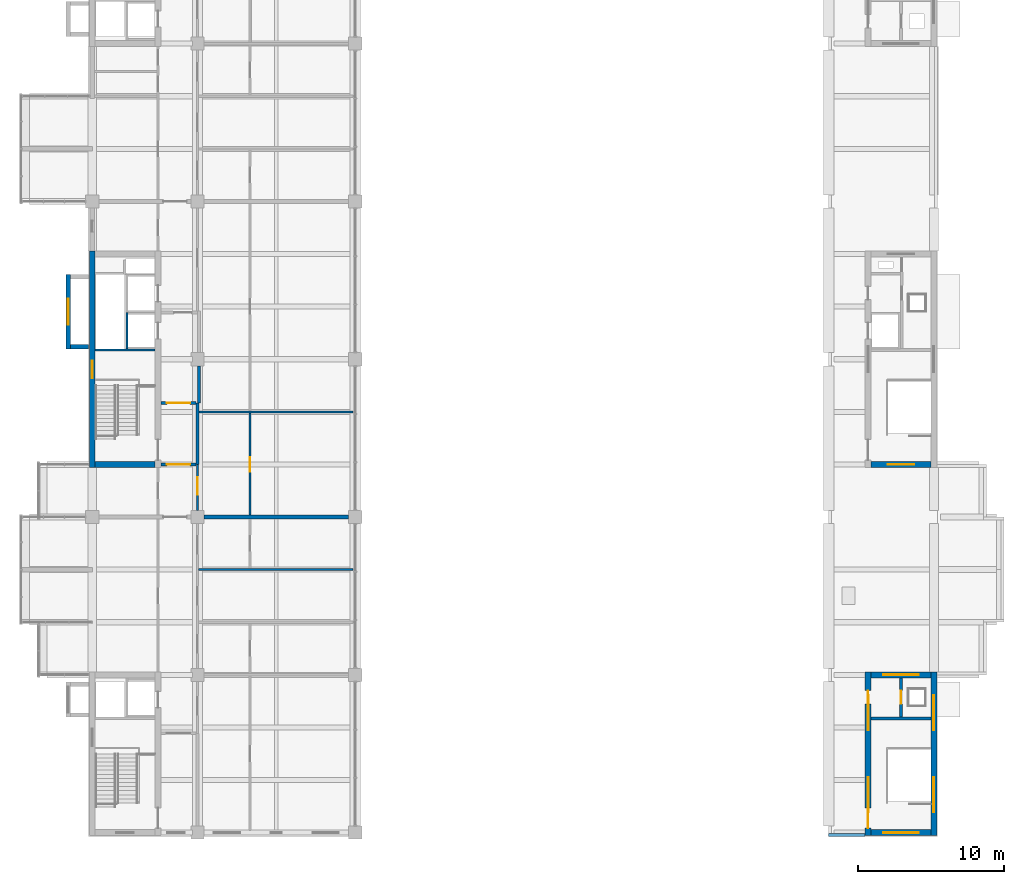
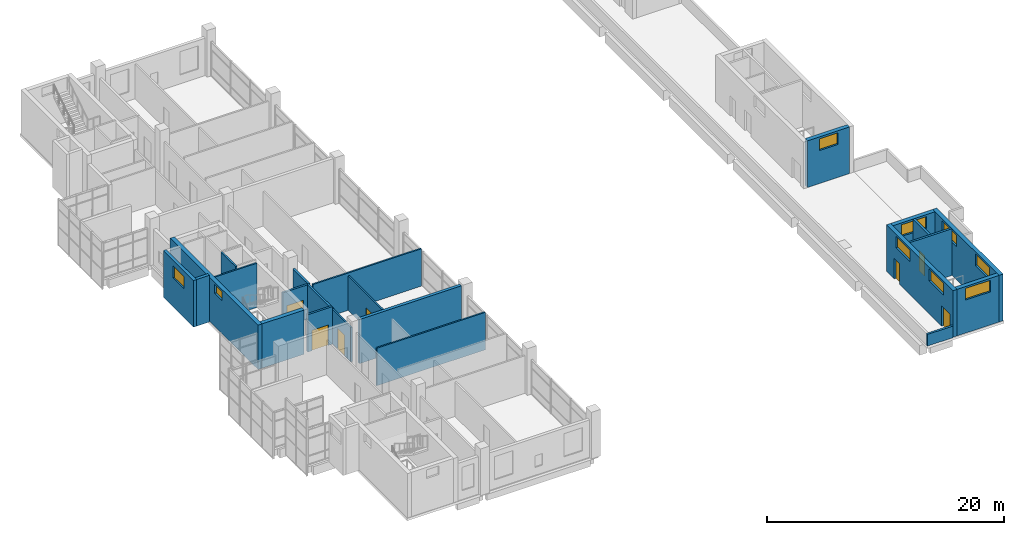
# One storey, part 16 of 23: 23 walls, 9 windows, 7 doors, 16 openings.
"""IFC4 building model written with IfcOpenShell, lengths in metres."""

from ifc_helpers import new_model, si_unit, direction, frame, frame_2d, origin, place, context, subcontext, project, spatial, rectangle, extrude, material, layer, layer_set, type_object, element, fill, save


model = new_model("IFC4")

# Units and contexts
model_context = context("Model", 3, precision=1e-05, world=origin(), true_north=direction((0.0, 1.0)))
body_context = subcontext(model_context, "Body", "Model", "MODEL_VIEW")
ifc_project = project(units=[si_unit("LENGTHUNIT", "METRE"), si_unit("AREAUNIT", "SQUARE_METRE"), si_unit("VOLUMEUNIT", "CUBIC_METRE"), si_unit("PLANEANGLEUNIT", "RADIAN"), si_unit("MASSUNIT", "GRAM", prefix="KILO")], contexts=[model_context])

# Site, building, storey
site_placement = place(None, origin())
site = spatial("IfcSite", under=ifc_project, at=site_placement, CompositionType="ELEMENT")
building_placement = place(site_placement, origin())
building = spatial("IfcBuilding", under=site, at=building_placement, Name="Basin Gate Institute", CompositionType="ELEMENT")
storey_placement = place(building_placement, frame((0.0, 0.0, 46.199951171875)))
storey = spatial("IfcBuildingStorey", under=building, at=storey_placement, Name="L09", CompositionType="ELEMENT", Elevation=46.199951171875)

# Wall, opening, door
ifc_material_1 = material(Name="Fire-rated masonry", Category="masonry")
ifc_layer_1 = layer(ifc_material_1, 0.199951171875)
ifc_layer_set_1 = layer_set([ifc_layer_1], Name="Enclosure wall PW2 200 EI 60")
wall_type_1 = type_object("IfcWallType", Name="Enclosure wall PW2 200 EI 60", PredefinedType="PARTITIONING", material=ifc_layer_set_1)
wall_1_placement = place(storey_placement, frame((65.89990234375, 60.300048828125, 0.0), z_axis=(0.0, 0.0, 1.0), x_axis=(1.0, 0.0, 0.0)))
wall_1 = element("IfcWall", 1, at=wall_1_placement, inside=storey, type_object=wall_type_1, material=ifc_layer_set_1, Name="Smoke lobby enclosure wall PW2 L09", PredefinedType="PARTITIONING", context=body_context, shape_type="SweptSolid", body=[
    extrude(rectangle(XDim=2.400146484375, YDim=0.199951171875, at=frame_2d((1.2001953125, 0.0))), origin(), (0.0, 0.0, 1.0), 3.85009765625),
])
opening_1_placement = place(wall_1_placement, frame((0.39990234375, 0.0, 0.0)))
opening_1 = element("IfcOpeningElement", 2, at=opening_1_placement, cuts=wall_1, Name="Opening DR435", PredefinedType="OPENING", context=body_context, shape_type="SweptSolid", body=[
    extrude(rectangle(XDim=1.60009765625, YDim=2.10009765625, at=frame_2d((0.800048828125, 1.050048828125))), frame((0.0, 0.10986328125, 0.0), z_axis=(0.0, -1.0, 0.0), x_axis=(1.0, 0.0, 0.0)), (0.0, 0.0, 1.0), 0.219970703125),
])
ifc_material_2 = material(Name="Steel fire door", Category="steel")
door_type_1 = type_object("IfcDoorType", Name="FD60 Smoke lobby door pair D8", OperationType="DOUBLE_DOOR_SINGLE_SWING", PredefinedType="DOOR", material=ifc_material_2)
door_1_placement = place(opening_1_placement, origin())
door_1 = element("IfcDoor", 3, at=door_1_placement, inside=storey, type_object=door_type_1, material=ifc_material_2, Name="Smoke lobby door SS2 L09", OperationType="DOUBLE_DOOR_SINGLE_SWING", OverallHeight=2.10009765625, OverallWidth=1.60009765625, PredefinedType="DOOR", context=body_context, shape_type="SweptSolid", body=[
    extrude(rectangle(XDim=1.60009765625, YDim=2.10009765625, at=frame_2d((0.800048828125, 1.050048828125))), frame((0.0, 0.02490234375, 0.0), z_axis=(0.0, -1.0, 0.0), x_axis=(1.0, 0.0, 0.0)), (0.0, 0.0, 1.0), 0.050048828125),
])
fill(opening_1, door_1)

wall_2_placement = place(storey_placement, frame((65.89990234375, 64.5, 0.0), z_axis=(0.0, 0.0, 1.0), x_axis=(1.0, 0.0, 0.0)))
wall_2 = element("IfcWall", 4, at=wall_2_placement, inside=storey, type_object=wall_type_1, material=ifc_layer_set_1, Name="Smoke lobby enclosure wall PW2 L09", PredefinedType="PARTITIONING", context=body_context, shape_type="SweptSolid", body=[
    extrude(rectangle(XDim=2.400146484375, YDim=0.199951171875, at=frame_2d((1.2001953125, 0.0))), origin(), (0.0, 0.0, 1.0), 3.550048828125),
])
opening_2_placement = place(wall_2_placement, frame((0.39990234375, 0.0, 0.0)))
opening_2 = element("IfcOpeningElement", 5, at=opening_2_placement, cuts=wall_2, Name="Opening DR436", PredefinedType="OPENING", context=body_context, shape_type="SweptSolid", body=[
    extrude(rectangle(XDim=1.60009765625, YDim=2.10009765625, at=frame_2d((0.800048828125, 1.050048828125))), frame((0.0, 0.10986328125, 0.0), z_axis=(0.0, -1.0, 0.0), x_axis=(1.0, 0.0, 0.0)), (0.0, 0.0, 1.0), 0.219970703125),
])
door_2_placement = place(opening_2_placement, frame((1.60009765625, 0.0, 0.0), z_axis=(0.0, 0.0, 1.0), x_axis=(-1.0, 0.0, 0.0)))
door_2 = element("IfcDoor", 6, at=door_2_placement, inside=storey, type_object=door_type_1, material=ifc_material_2, Name="Smoke lobby door SS2 L09", OperationType="DOUBLE_DOOR_SINGLE_SWING", OverallHeight=2.10009765625, OverallWidth=1.60009765625, PredefinedType="DOOR", context=body_context, shape_type="SweptSolid", body=[
    extrude(rectangle(XDim=1.60009765625, YDim=2.10009765625, at=frame_2d((0.800048828125, 1.050048828125))), frame((0.0, 0.02490234375, 0.0), z_axis=(0.0, -1.0, 0.0), x_axis=(1.0, 0.0, 0.0)), (0.0, 0.0, 1.0), 0.050048828125),
])
fill(opening_2, door_2)

# Walls
wall_3_placement = place(storey_placement, frame((68.39990234375, 60.300048828125, 0.0), z_axis=(0.0, 0.0, 1.0), x_axis=(0.0, 1.0, 0.0)))
element("IfcWall", 7, at=wall_3_placement, inside=storey, type_object=wall_type_1, material=ifc_layer_set_1, Name="Smoke lobby enclosure wall PW2 L09", PredefinedType="PARTITIONING", context=body_context, shape_type="SweptSolid", body=[
    extrude(rectangle(XDim=4.199951171875, YDim=0.199951171875, at=frame_2d((2.10009765625, 0.0))), origin(), (0.0, 0.0, 1.0), 3.550048828125),
])
wall_4_placement = place(storey_placement, frame((68.5, 64.5, 0.0), z_axis=(0.0, 0.0, 1.0), x_axis=(0.0, 1.0, 0.0)))
element("IfcWall", 8, at=wall_4_placement, inside=storey, type_object=wall_type_1, material=ifc_layer_set_1, Name="Emergency lift lobby wall PW2 L09", PredefinedType="PARTITIONING", context=body_context, shape_type="SweptSolid", body=[
    extrude(rectangle(XDim=2.550048828125, YDim=0.199951171875, at=frame_2d((1.27490234375, 0.0))), origin(), (0.0, 0.0, 1.0), 3.550048828125),
])
ifc_material_3 = material(Name="Concrete 40 MPa", Category="concrete")
ifc_layer_2 = layer(ifc_material_3, 0.199951171875)
ifc_layer_set_2 = layer_set([ifc_layer_2], Name="Concrete 40 MPa")
wall_type_2 = type_object("IfcWallType", Name="Parapet wall PA1", PredefinedType="PARAPET", material=ifc_layer_set_2)
wall_5_placement = place(storey_placement, frame((114.10009765625, 34.949951171875, 0.0), z_axis=(0.0, 0.0, 1.0), x_axis=(-1.0, 0.0, 0.0)))
element("IfcWall", 9, at=wall_5_placement, inside=storey, type_object=wall_type_2, material=ifc_layer_set_2, Name="Parapet wall PA1 L09 E1", PredefinedType="PARAPET", context=body_context, shape_type="SweptSolid", body=[
    extrude(rectangle(XDim=2.5, YDim=0.199951171875, at=frame_2d((1.25, 0.0))), origin(), (0.0, 0.0, 1.0), 1.199951171875),
])

# Wall, opening, door
ifc_material_4 = material(Name="Gypsum board on steel stud", Category="steel")
ifc_layer_3 = layer(ifc_material_4, 0.14990234375)
ifc_layer_set_3 = layer_set([ifc_layer_3], Name="Gypsum board on steel stud")
wall_type_3 = type_object("IfcWallType", Name="Partition PW1 150 EI 60", PredefinedType="PARTITIONING", material=ifc_layer_set_3)
wall_6_placement = place(storey_placement, frame((68.39990234375, 57.14990234375, 0.0), z_axis=(0.0, 0.0, 1.0), x_axis=(0.0, 1.0, 0.0)))
wall_6 = element("IfcWall", 10, at=wall_6_placement, inside=storey, type_object=wall_type_3, material=ifc_layer_set_3, Name="Laboratory corridor wall PW1 L09", PredefinedType="PARTITIONING", context=body_context, shape_type="SweptSolid", body=[
    extrude(rectangle(XDim=3.150146484375, YDim=0.14990234375, at=frame_2d((1.5751953125, 0.0))), origin(), (0.0, 0.0, 1.0), 3.550048828125),
])
opening_3_placement = place(wall_6_placement, frame((1.074951171875, 0.0, 0.0)))
opening_3 = element("IfcOpeningElement", 11, at=opening_3_placement, cuts=wall_6, Name="Opening DR422", PredefinedType="OPENING", context=body_context, shape_type="SweptSolid", body=[
    extrude(rectangle(XDim=1.199951171875, YDim=2.10009765625, at=frame_2d((0.60009765625, 1.050048828125))), frame((0.0, 0.0849609375, 0.0), z_axis=(0.0, -1.0, 0.0), x_axis=(1.0, 0.0, 0.0)), (0.0, 0.0, 1.0), 0.169921875),
])
ifc_material_5 = material(Name="Timber fire door", Category="wood")
door_type_2 = type_object("IfcDoorType", Name="FD30 Laboratory door D2", OperationType="DOUBLE_DOOR_SINGLE_SWING", PredefinedType="DOOR", material=ifc_material_5)
door_3_placement = place(opening_3_placement, frame((1.199951171875, 0.0, 0.0), z_axis=(0.0, 0.0, 1.0), x_axis=(-1.0, 0.0, 0.0)))
door_3 = element("IfcDoor", 12, at=door_3_placement, inside=storey, type_object=door_type_2, material=ifc_material_5, Name="Door to Gowning Airlock 0922 L09", OperationType="DOUBLE_DOOR_SINGLE_SWING", OverallHeight=2.10009765625, OverallWidth=1.199951171875, PredefinedType="DOOR", context=body_context, shape_type="SweptSolid", body=[
    extrude(rectangle(XDim=1.199951171875, YDim=2.10009765625, at=frame_2d((0.60009765625, 1.050048828125))), frame((0.0, 0.02490234375, 0.0), z_axis=(0.0, -1.0, 0.0), x_axis=(1.0, 0.0, 0.0)), (0.0, 0.0, 1.0), 0.050048828125),
])
fill(opening_3, door_3)

wall_7_placement = place(storey_placement, frame((72.0, 56.85009765625, 0.0), z_axis=(0.0, 0.0, 1.0), x_axis=(0.0, 1.0, 0.0)))
wall_7 = element("IfcWall", 13, at=wall_7_placement, inside=storey, type_object=wall_type_3, material=ifc_layer_set_3, Name="Clean room wall PW1 L09", PredefinedType="PARTITIONING", context=body_context, shape_type="SweptSolid", body=[
    extrude(rectangle(XDim=6.974853515625, YDim=0.14990234375, at=frame_2d((3.4873046875, 0.0))), origin(), (0.0, 0.0, 1.0), 3.550048828125),
])
opening_4_placement = place(wall_7_placement, frame((2.949951171875, 0.0, 0.0)))
opening_4 = element("IfcOpeningElement", 14, at=opening_4_placement, cuts=wall_7, Name="Opening DR414", PredefinedType="OPENING", context=body_context, shape_type="SweptSolid", body=[
    extrude(rectangle(XDim=1.0, YDim=2.10009765625, at=frame_2d((0.5, 1.050048828125))), frame((0.0, 0.0849609375, 0.0), z_axis=(0.0, -1.0, 0.0), x_axis=(1.0, 0.0, 0.0)), (0.0, 0.0, 1.0), 0.169921875),
])
ifc_material_6 = material(Name="Steel fire door", Category="steel")
door_type_3 = type_object("IfcDoorType", Name="FD30 Airlock door D5", OperationType="NOTDEFINED", PredefinedType="DOOR", material=ifc_material_6)
door_4_placement = place(opening_4_placement, frame((1.0, 0.0, 0.0), z_axis=(0.0, 0.0, 1.0), x_axis=(-1.0, 0.0, 0.0)))
door_4 = element("IfcDoor", 15, at=door_4_placement, inside=storey, type_object=door_type_3, material=ifc_material_6, Name="Clean room entry door Clean Room ISO 7 0922 L09", OperationType="SINGLE_SWING_RIGHT", OverallHeight=2.10009765625, OverallWidth=1.0, PredefinedType="DOOR", context=body_context, shape_type="SweptSolid", body=[
    extrude(rectangle(XDim=1.0, YDim=2.10009765625, at=frame_2d((0.5, 1.050048828125))), frame((0.0, 0.02490234375, 0.0), z_axis=(0.0, -1.0, 0.0), x_axis=(1.0, 0.0, 0.0)), (0.0, 0.0, 1.0), 0.050048828125),
])
fill(opening_4, door_4)

# Walls
wall_8_placement = place(storey_placement, frame((68.47509765625, 53.10009765625, 0.0), z_axis=(0.0, 0.0, 1.0), x_axis=(1.0, 0.0, 0.0)))
element("IfcWall", 16, at=wall_8_placement, inside=storey, type_object=wall_type_3, material=ifc_layer_set_3, Name="Clean room wall PW1 L09", PredefinedType="PARTITIONING", context=body_context, shape_type="SweptSolid", body=[
    extrude(rectangle(XDim=10.574951171875, YDim=0.14990234375, at=frame_2d((5.28759765625, 0.0))), origin(), (0.0, 0.0, 1.0), 3.85009765625),
])
wall_9_placement = place(storey_placement, frame((68.5, 63.89990234375, 0.0), z_axis=(0.0, 0.0, 1.0), x_axis=(1.0, 0.0, 0.0)))
element("IfcWall", 17, at=wall_9_placement, inside=storey, type_object=wall_type_3, material=ifc_layer_set_3, Name="Clean room wall PW1 L09", PredefinedType="PARTITIONING", context=body_context, shape_type="SweptSolid", body=[
    extrude(rectangle(XDim=10.550048828125, YDim=0.14990234375, at=frame_2d((5.27490234375, 0.0))), origin(), (0.0, 0.0, 1.0), 3.85009765625),
])

# Wall, opening, door
ifc_material_7 = material(Name="Concrete 40 MPa", Category="concrete")
ifc_layer_4 = layer(ifc_material_7, 0.199951171875)
ifc_layer_set_4 = layer_set([ifc_layer_4], Name="Concrete 40 MPa")
wall_type_4 = type_object("IfcWallType", Name="Penthouse partition wall RW2 R60", PredefinedType="SOLIDWALL", material=ifc_layer_set_4)
wall_10_placement = place(storey_placement, frame((116.550048828125, 43.02490234375, 0.0), z_axis=(0.0, 0.0, 1.0), x_axis=(0.0, 1.0, 0.0)))
wall_10 = element("IfcWall", 18, at=wall_10_placement, inside=storey, type_object=wall_type_4, material=ifc_layer_set_4, Name="Penthouse partition RW2 ES", PredefinedType="SOLIDWALL", context=body_context, shape_type="SweptSolid", body=[
    extrude(rectangle(XDim=2.675048828125, YDim=0.199951171875, at=frame_2d((1.33740234375, 0.0))), origin(), (0.0, 0.0, 1.0), 4.800048828125),
])
opening_5_placement = place(wall_10_placement, frame((0.887451171875, 0.0, 0.0)))
opening_5 = element("IfcOpeningElement", 19, at=opening_5_placement, cuts=wall_10, Name="Opening D14", PredefinedType="OPENING", context=body_context, shape_type="SweptSolid", body=[
    extrude(rectangle(XDim=0.89990234375, YDim=2.10009765625, at=frame_2d((0.449951171875, 1.050048828125))), frame((0.0, 0.10986328125, 0.0), z_axis=(0.0, -1.0, 0.0), x_axis=(1.0, 0.0, 0.0)), (0.0, 0.0, 1.0), 0.219970703125),
])
ifc_material_8 = material(Name="Steel fire door", Category="steel")
door_type_4 = type_object("IfcDoorType", Name="Plant room door D14", OperationType="NOTDEFINED", PredefinedType="DOOR", material=ifc_material_8)
door_5_placement = place(opening_5_placement, origin())
door_5 = element("IfcDoor", 20, at=door_5_placement, inside=storey, type_object=door_type_4, material=ifc_material_8, Name="Door to Exhaust Fan Room ES", OperationType="SINGLE_SWING_RIGHT", OverallHeight=2.10009765625, OverallWidth=0.89990234375, PredefinedType="DOOR", context=body_context, shape_type="SweptSolid", body=[
    extrude(rectangle(XDim=0.89990234375, YDim=2.10009765625, at=frame_2d((0.449951171875, 1.050048828125))), frame((0.0, 0.02490234375, 0.0), z_axis=(0.0, -1.0, 0.0), x_axis=(1.0, 0.0, 0.0)), (0.0, 0.0, 1.0), 0.050048828125),
])
fill(opening_5, door_5)

# Walls
wall_11_placement = place(storey_placement, frame((114.5, 42.925048828125, 0.0), z_axis=(0.0, 0.0, 1.0), x_axis=(1.0, 0.0, 0.0)))
element("IfcWall", 21, at=wall_11_placement, inside=storey, type_object=wall_type_4, material=ifc_layer_set_4, Name="Penthouse partition RW2 ES", PredefinedType="SOLIDWALL", context=body_context, shape_type="SweptSolid", body=[
    extrude(rectangle(XDim=4.10009765625, YDim=0.199951171875, at=frame_2d((2.050048828125, 0.0))), origin(), (0.0, 0.0, 1.0), 4.800048828125),
])
ifc_material_9 = material(Name="Concrete 40 MPa", Category="concrete")
ifc_layer_5 = layer(ifc_material_9, 0.14990234375)
ifc_layer_set_5 = layer_set([ifc_layer_5], Name="Concrete 40 MPa")
wall_type_5 = type_object("IfcWallType", Name="Wall LS1 lift shaft enclosure R120", PredefinedType="SOLIDWALL", material=ifc_layer_set_5)
wall_12_placement = place(storey_placement, frame((63.574951171875, 68.199951171875, 0.0), z_axis=(0.0, 0.0, 1.0), x_axis=(0.0, 1.0, 0.0)))
element("IfcWall", 22, at=wall_12_placement, inside=storey, type_object=wall_type_5, material=ifc_layer_set_5, Name="Lift shaft enclosure LF1 L09 UL", PredefinedType="SOLIDWALL", context=body_context, shape_type="SweptSolid", body=[
    extrude(rectangle(XDim=2.5, YDim=0.14990234375, at=frame_2d((1.25, 0.0))), origin(), (0.0, 0.0, 1.0), 4.800048828125),
])
ifc_material_10 = material(Name="Concrete 40 MPa", Category="concrete")
ifc_layer_6 = layer(ifc_material_10, 0.14990234375)
ifc_layer_set_6 = layer_set([ifc_layer_6], Name="Concrete 40 MPa")
wall_type_6 = type_object("IfcWallType", Name="Wall SE1 stair enclosure R120", PredefinedType="SOLIDWALL", material=ifc_layer_set_6)
wall_13_placement = place(storey_placement, frame((61.39990234375, 68.125, 0.0), z_axis=(0.0, 0.0, 1.0), x_axis=(1.0, 0.0, 0.0)))
element("IfcWall", 23, at=wall_13_placement, inside=storey, type_object=wall_type_6, material=ifc_layer_set_6, Name="Stair enclosure wall ST-WM L09", PredefinedType="SOLIDWALL", context=body_context, shape_type="SweptSolid", body=[
    extrude(rectangle(XDim=4.10009765625, YDim=0.14990234375, at=frame_2d((2.050048828125, 0.0))), origin(), (0.0, 0.0, 1.0), 4.550048828125),
])

# Wall, opening, window
ifc_material_11 = material(Name="Concrete 50 MPa", Category="concrete")
ifc_layer_7 = layer(ifc_material_11, 0.300048828125)
ifc_layer_set_7 = layer_set([ifc_layer_7], Name="Concrete 50 MPa")
wall_type_7 = type_object("IfcWallType", Name="Wall SK1 R120", PredefinedType="SHEAR", material=ifc_layer_set_7)
wall_14_placement = place(storey_placement, frame((59.550048828125, 68.199951171875, 0.0), z_axis=(0.0, 0.0, 1.0), x_axis=(0.0, 1.0, 0.0)))
wall_14 = element("IfcWall", 24, at=wall_14_placement, inside=storey, type_object=wall_type_7, material=ifc_layer_set_7, Name="Spine riser stack wall SK1 WM F L09", PredefinedType="SHEAR", context=body_context, shape_type="SweptSolid", body=[
    extrude(rectangle(XDim=5.10009765625, YDim=0.300048828125, at=frame_2d((2.550048828125, 0.0))), origin(), (0.0, 0.0, 1.0), 4.800048828125),
])
opening_6_placement = place(wall_14_placement, frame((1.64990234375, 0.0, 3.0)))
opening_6 = element("IfcOpeningElement", 25, at=opening_6_placement, cuts=wall_14, Name="Opening WL2", PredefinedType="OPENING", context=body_context, shape_type="SweptSolid", body=[
    extrude(rectangle(XDim=1.800048828125, YDim=1.199951171875, at=frame_2d((0.89990234375, 0.60009765625))), frame((0.0, 0.16015625, 0.0), z_axis=(0.0, -1.0, 0.0), x_axis=(1.0, 0.0, 0.0)), (0.0, 0.0, 1.0), 0.320068359375),
])
ifc_material_12 = material(Name="Aluminium louvre blades with fire damper", Category="aluminium")
window_type_1 = type_object("IfcWindowType", Name="Riser louvre EI 120 WL2", PartitioningType="SINGLE_PANEL", PredefinedType="WINDOW", material=ifc_material_12)
window_1_placement = place(opening_6_placement, origin())
window_1 = element("IfcWindow", 26, at=window_1_placement, inside=storey, type_object=window_type_1, material=ifc_material_12, Name="Riser louvre EI 120 WM riser 1 L09", OverallHeight=1.199951171875, OverallWidth=1.800048828125, PartitioningType="SINGLE_PANEL", PredefinedType="WINDOW", context=body_context, shape_type="SweptSolid", body=[
    extrude(rectangle(XDim=1.800048828125, YDim=1.199951171875, at=frame_2d((0.89990234375, 0.60009765625))), frame((0.0, 0.030029296875, 0.0), z_axis=(0.0, -1.0, 0.0), x_axis=(1.0, 0.0, 0.0)), (0.0, 0.0, 1.0), 0.06005859375),
])
fill(opening_6, window_1)

# Wall
wall_15_placement = place(storey_placement, frame((60.949951171875, 68.35009765625, 0.0), z_axis=(0.0, 0.0, 1.0), x_axis=(-1.0, 0.0, 0.0)))
element("IfcWall", 27, at=wall_15_placement, inside=storey, type_object=wall_type_7, material=ifc_layer_set_7, Name="Spine riser stack wall SK1 WM A L09", PredefinedType="SHEAR", context=body_context, shape_type="SweptSolid", body=[
    extrude(rectangle(XDim=1.25, YDim=0.300048828125, at=frame_2d((0.625, 0.0))), origin(), (0.0, 0.0, 1.0), 4.800048828125),
])

# Wall, opening, window
ifc_material_13 = material(Name="Concrete 50 MPa", Category="concrete")
ifc_layer_8 = layer(ifc_material_13, 0.39990234375)
ifc_layer_set_8 = layer_set([ifc_layer_8], Name="Concrete 50 MPa")
wall_type_8 = type_object("IfcWallType", Name="Wall SW2 R120", PredefinedType="SHEAR", material=ifc_layer_set_8)
wall_16_placement = place(storey_placement, frame((61.199951171875, 60.10009765625, 0.0), z_axis=(0.0, 0.0, 1.0), x_axis=(0.0, 1.0, 0.0)))
wall_16 = element("IfcWall", 28, at=wall_16_placement, inside=storey, type_object=wall_type_8, material=ifc_layer_set_8, Name="WALL/L09/WM/L", PredefinedType="SHEAR", context=body_context, shape_type="SweptSolid", body=[
    extrude(rectangle(XDim=14.7998046875, YDim=0.39990234375, at=frame_2d((7.39990234375, 0.0))), origin(), (0.0, 0.0, 1.0), 4.550048828125),
])
opening_7_placement = place(wall_16_placement, frame((6.110107421875, 0.0, 3.39990234375)))
opening_7 = element("IfcOpeningElement", 29, at=opening_7_placement, cuts=wall_16, Name="Opening WT2", PredefinedType="OPENING", context=body_context, shape_type="SweptSolid", body=[
    extrude(rectangle(XDim=1.199951171875, YDim=0.89990234375, at=frame_2d((0.60009765625, 0.449951171875))), frame((0.0, 0.2099609375, 0.0), z_axis=(0.0, -1.0, 0.0), x_axis=(1.0, 0.0, 0.0)), (0.0, 0.0, 1.0), 0.419921875),
])
ifc_material_14 = material(Name="Fire-resistant glazing in steel-free frame", Category="steel")
window_type_2 = type_object("IfcWindowType", Name="Rated stair window EI 120 WT2", PartitioningType="SINGLE_PANEL", PredefinedType="WINDOW", material=ifc_material_14)
window_2_placement = place(opening_7_placement, origin())
window_2 = element("IfcWindow", 30, at=window_2_placement, inside=storey, type_object=window_type_2, material=ifc_material_14, Name="Rated stair window EI 120 WM landing L09", OverallHeight=0.89990234375, OverallWidth=1.199951171875, PartitioningType="SINGLE_PANEL", PredefinedType="WINDOW", context=body_context, shape_type="SweptSolid", body=[
    extrude(rectangle(XDim=1.199951171875, YDim=0.89990234375, at=frame_2d((0.60009765625, 0.449951171875))), frame((0.0, 0.030029296875, 0.0), z_axis=(0.0, -1.0, 0.0), x_axis=(1.0, 0.0, 0.0)), (0.0, 0.0, 1.0), 0.06005859375),
])
fill(opening_7, window_2)

# Wall
wall_17_placement = place(storey_placement, frame((61.39990234375, 60.300048828125, 0.0), z_axis=(0.0, 0.0, 1.0), x_axis=(1.0, 0.0, 0.0)))
element("IfcWall", 31, at=wall_17_placement, inside=storey, type_object=wall_type_8, material=ifc_layer_set_8, Name="WALL/L09/WM/S", PredefinedType="SHEAR", context=body_context, shape_type="SweptSolid", body=[
    extrude(rectangle(XDim=4.10009765625, YDim=0.39990234375, at=frame_2d((2.050048828125, 0.0))), origin(), (0.0, 0.0, 1.0), 4.550048828125),
])

# Wall, openings, windows
wall_18_placement = place(storey_placement, frame((118.800048828125, 34.89990234375, 0.0), z_axis=(0.0, 0.0, 1.0), x_axis=(0.0, 1.0, 0.0)))
wall_18 = element("IfcWall", 32, at=wall_18_placement, inside=storey, type_object=wall_type_8, material=ifc_layer_set_8, Name="WALL/L09/ES/L", PredefinedType="SHEAR", context=body_context, shape_type="SweptSolid", body=[
    extrude(rectangle(XDim=11.2001953125, YDim=0.39990234375, at=frame_2d((5.60009765625, 0.0))), origin(), (0.0, 0.0, 1.0), 4.800048828125),
])
opening_8_placement = place(wall_18_placement, frame((1.60009765625, 0.0, 3.39990234375)))
opening_8 = element("IfcOpeningElement", 33, at=opening_8_placement, cuts=wall_18, Name="Opening LV1A", PredefinedType="OPENING", context=body_context, shape_type="SweptSolid", body=[
    extrude(rectangle(XDim=2.39990234375, YDim=1.199951171875, at=frame_2d((1.199951171875, 0.60009765625))), frame((0.0, 0.2099609375, 0.0), z_axis=(0.0, -1.0, 0.0), x_axis=(1.0, 0.0, 0.0)), (0.0, 0.0, 1.0), 0.419921875),
])
opening_9_placement = place(wall_18_placement, frame((7.199951171875, 0.0, 3.39990234375)))
opening_9 = element("IfcOpeningElement", 34, at=opening_9_placement, cuts=wall_18, Name="Opening LV1A", PredefinedType="OPENING", context=body_context, shape_type="SweptSolid", body=[
    extrude(rectangle(XDim=2.39990234375, YDim=1.199951171875, at=frame_2d((1.199951171875, 0.60009765625))), frame((0.0, 0.2099609375, 0.0), z_axis=(0.0, -1.0, 0.0), x_axis=(1.0, 0.0, 0.0)), (0.0, 0.0, 1.0), 0.419921875),
])
ifc_material_15 = material(Name="Aluminium louvre", Category="aluminium")
window_type_3 = type_object("IfcWindowType", Name="Exhaust louvre LV1A", PartitioningType="SINGLE_PANEL", PredefinedType="USERDEFINED", material=ifc_material_15)
window_3_placement = place(opening_8_placement, origin())
window_3 = element("IfcWindow", 35, at=window_3_placement, inside=storey, type_object=window_type_3, material=ifc_material_15, Name="Exhaust louvre LV1A ES stack L1", ObjectType="LOUVRE", OverallHeight=1.199951171875, OverallWidth=2.39990234375, PartitioningType="SINGLE_PANEL", PredefinedType="USERDEFINED", context=body_context, shape_type="SweptSolid", body=[
    extrude(rectangle(XDim=2.39990234375, YDim=1.199951171875, at=frame_2d((1.199951171875, 0.60009765625))), frame((0.0, 0.030029296875, 0.0), z_axis=(0.0, -1.0, 0.0), x_axis=(1.0, 0.0, 0.0)), (0.0, 0.0, 1.0), 0.06005859375),
])
fill(opening_8, window_3)
window_4_placement = place(opening_9_placement, origin())
window_4 = element("IfcWindow", 36, at=window_4_placement, inside=storey, type_object=window_type_3, material=ifc_material_15, Name="Exhaust louvre LV1A ES stack L2", ObjectType="LOUVRE", OverallHeight=1.199951171875, OverallWidth=2.39990234375, PartitioningType="SINGLE_PANEL", PredefinedType="USERDEFINED", context=body_context, shape_type="SweptSolid", body=[
    extrude(rectangle(XDim=2.39990234375, YDim=1.199951171875, at=frame_2d((1.199951171875, 0.60009765625))), frame((0.0, 0.030029296875, 0.0), z_axis=(0.0, -1.0, 0.0), x_axis=(1.0, 0.0, 0.0)), (0.0, 0.0, 1.0), 0.06005859375),
])
fill(opening_9, window_4)

# Wall, openings, windows, doors
wall_19_placement = place(storey_placement, frame((114.300048828125, 34.89990234375, 0.0), z_axis=(0.0, 0.0, 1.0), x_axis=(0.0, 1.0, 0.0)))
wall_19 = element("IfcWall", 37, at=wall_19_placement, inside=storey, type_object=wall_type_8, material=ifc_layer_set_8, Name="WALL/L09/ES/C", PredefinedType="SHEAR", context=body_context, shape_type="SweptSolid", body=[
    extrude(rectangle(XDim=11.2001953125, YDim=0.39990234375, at=frame_2d((5.60009765625, 0.0))), origin(), (0.0, 0.0, 1.0), 4.800048828125),
])
opening_10_placement = place(wall_19_placement, frame((0.5, 0.0, 0.0)))
opening_10 = element("IfcOpeningElement", 38, at=opening_10_placement, cuts=wall_19, Name="Opening DF04", PredefinedType="OPENING", context=body_context, shape_type="SweptSolid", body=[
    extrude(rectangle(XDim=1.39990234375, YDim=2.10009765625, at=frame_2d((0.699951171875, 1.050048828125))), frame((0.0, 0.2099609375, 0.0), z_axis=(0.0, -1.0, 0.0), x_axis=(1.0, 0.0, 0.0)), (0.0, 0.0, 1.0), 0.419921875),
])
opening_11_placement = place(wall_19_placement, frame((1.60009765625, 0.0, 3.39990234375)))
opening_11 = element("IfcOpeningElement", 39, at=opening_11_placement, cuts=wall_19, Name="Opening LV1A", PredefinedType="OPENING", context=body_context, shape_type="SweptSolid", body=[
    extrude(rectangle(XDim=2.39990234375, YDim=1.199951171875, at=frame_2d((1.199951171875, 0.60009765625))), frame((0.0, 0.2099609375, 0.0), z_axis=(0.0, -1.0, 0.0), x_axis=(1.0, 0.0, 0.0)), (0.0, 0.0, 1.0), 0.419921875),
])
opening_12_placement = place(wall_19_placement, frame((7.199951171875, 0.0, 3.39990234375)))
opening_12 = element("IfcOpeningElement", 40, at=opening_12_placement, cuts=wall_19, Name="Opening LV1A", PredefinedType="OPENING", context=body_context, shape_type="SweptSolid", body=[
    extrude(rectangle(XDim=2.39990234375, YDim=1.199951171875, at=frame_2d((1.199951171875, 0.60009765625))), frame((0.0, 0.2099609375, 0.0), z_axis=(0.0, -1.0, 0.0), x_axis=(1.0, 0.0, 0.0)), (0.0, 0.0, 1.0), 0.419921875),
])
opening_13_placement = place(wall_19_placement, frame((9.012451171875, 0.0, 0.0)))
opening_13 = element("IfcOpeningElement", 41, at=opening_13_placement, cuts=wall_19, Name="Opening D14", PredefinedType="OPENING", context=body_context, shape_type="SweptSolid", body=[
    extrude(rectangle(XDim=0.89990234375, YDim=2.10009765625, at=frame_2d((0.449951171875, 1.050048828125))), frame((0.0, 0.2099609375, 0.0), z_axis=(0.0, -1.0, 0.0), x_axis=(1.0, 0.0, 0.0)), (0.0, 0.0, 1.0), 0.419921875),
])
window_5_placement = place(opening_11_placement, origin())
window_5 = element("IfcWindow", 42, at=window_5_placement, inside=storey, type_object=window_type_3, material=ifc_material_15, Name="Exhaust louvre LV1A ES stack C1", ObjectType="LOUVRE", OverallHeight=1.199951171875, OverallWidth=2.39990234375, PartitioningType="SINGLE_PANEL", PredefinedType="USERDEFINED", context=body_context, shape_type="SweptSolid", body=[
    extrude(rectangle(XDim=2.39990234375, YDim=1.199951171875, at=frame_2d((1.199951171875, 0.60009765625))), frame((0.0, 0.030029296875, 0.0), z_axis=(0.0, -1.0, 0.0), x_axis=(1.0, 0.0, 0.0)), (0.0, 0.0, 1.0), 0.06005859375),
])
fill(opening_11, window_5)
window_6_placement = place(opening_12_placement, origin())
window_6 = element("IfcWindow", 43, at=window_6_placement, inside=storey, type_object=window_type_3, material=ifc_material_15, Name="Exhaust louvre LV1A ES stack C2", ObjectType="LOUVRE", OverallHeight=1.199951171875, OverallWidth=2.39990234375, PartitioningType="SINGLE_PANEL", PredefinedType="USERDEFINED", context=body_context, shape_type="SweptSolid", body=[
    extrude(rectangle(XDim=2.39990234375, YDim=1.199951171875, at=frame_2d((1.199951171875, 0.60009765625))), frame((0.0, 0.030029296875, 0.0), z_axis=(0.0, -1.0, 0.0), x_axis=(1.0, 0.0, 0.0)), (0.0, 0.0, 1.0), 0.06005859375),
])
fill(opening_12, window_6)
ifc_material_16 = material(Name="Steel fire door", Category="steel")
door_type_5 = type_object("IfcDoorType", Name="FD30 Roof access door DF", OperationType="DOUBLE_DOOR_SINGLE_SWING", PredefinedType="DOOR", material=ifc_material_16)
door_6_placement = place(opening_10_placement, origin())
door_6 = element("IfcDoor", 44, at=door_6_placement, inside=storey, type_object=door_type_5, material=ifc_material_16, Name="Roof access door ST-ES", OperationType="DOUBLE_DOOR_SINGLE_SWING", OverallHeight=2.10009765625, OverallWidth=1.39990234375, PredefinedType="DOOR", context=body_context, shape_type="SweptSolid", body=[
    extrude(rectangle(XDim=1.39990234375, YDim=2.10009765625, at=frame_2d((0.699951171875, 1.050048828125))), frame((0.0, 0.02490234375, 0.0), z_axis=(0.0, -1.0, 0.0), x_axis=(1.0, 0.0, 0.0)), (0.0, 0.0, 1.0), 0.050048828125),
])
fill(opening_10, door_6)
door_7_placement = place(opening_13_placement, frame((0.89990234375, 0.0, 0.0), z_axis=(0.0, 0.0, 1.0), x_axis=(-1.0, 0.0, 0.0)))
door_7 = element("IfcDoor", 45, at=door_7_placement, inside=storey, type_object=door_type_4, material=ifc_material_8, Name="Door to Lift Machine Room LP4", OperationType="SINGLE_SWING_RIGHT", OverallHeight=2.10009765625, OverallWidth=0.89990234375, PredefinedType="DOOR", context=body_context, shape_type="SweptSolid", body=[
    extrude(rectangle(XDim=0.89990234375, YDim=2.10009765625, at=frame_2d((0.449951171875, 1.050048828125))), frame((0.0, 0.02490234375, 0.0), z_axis=(0.0, -1.0, 0.0), x_axis=(1.0, 0.0, 0.0)), (0.0, 0.0, 1.0), 0.050048828125),
])
fill(opening_13, door_7)

# Wall, opening, window
wall_20_placement = place(storey_placement, frame((118.60009765625, 35.10009765625, 0.0), z_axis=(0.0, 0.0, 1.0), x_axis=(-1.0, 0.0, 0.0)))
wall_20 = element("IfcWall", 46, at=wall_20_placement, inside=storey, type_object=wall_type_8, material=ifc_layer_set_8, Name="WALL/L09/ES/S", PredefinedType="SHEAR", context=body_context, shape_type="SweptSolid", body=[
    extrude(rectangle(XDim=4.10009765625, YDim=0.39990234375, at=frame_2d((2.050048828125, 0.0))), origin(), (0.0, 0.0, 1.0), 4.800048828125),
])
opening_14_placement = place(wall_20_placement, frame((0.85009765625, 0.0, 3.39990234375)))
opening_14 = element("IfcOpeningElement", 47, at=opening_14_placement, cuts=wall_20, Name="Opening LV1A", PredefinedType="OPENING", context=body_context, shape_type="SweptSolid", body=[
    extrude(rectangle(XDim=2.39990234375, YDim=1.199951171875, at=frame_2d((1.199951171875, 0.60009765625))), frame((0.0, 0.2099609375, 0.0), z_axis=(0.0, -1.0, 0.0), x_axis=(1.0, 0.0, 0.0)), (0.0, 0.0, 1.0), 0.419921875),
])
window_7_placement = place(opening_14_placement, origin())
window_7 = element("IfcWindow", 48, at=window_7_placement, inside=storey, type_object=window_type_3, material=ifc_material_15, Name="Exhaust louvre LV1A ES stack S1", ObjectType="LOUVRE", OverallHeight=1.199951171875, OverallWidth=2.39990234375, PartitioningType="SINGLE_PANEL", PredefinedType="USERDEFINED", context=body_context, shape_type="SweptSolid", body=[
    extrude(rectangle(XDim=2.39990234375, YDim=1.199951171875, at=frame_2d((1.199951171875, 0.60009765625))), frame((0.0, 0.030029296875, 0.0), z_axis=(0.0, -1.0, 0.0), x_axis=(1.0, 0.0, 0.0)), (0.0, 0.0, 1.0), 0.06005859375),
])
fill(opening_14, window_7)

wall_21_placement = place(storey_placement, frame((118.60009765625, 45.89990234375, 0.0), z_axis=(0.0, 0.0, 1.0), x_axis=(-1.0, 0.0, 0.0)))
wall_21 = element("IfcWall", 49, at=wall_21_placement, inside=storey, type_object=wall_type_8, material=ifc_layer_set_8, Name="WALL/L09/ES/N", PredefinedType="SHEAR", context=body_context, shape_type="SweptSolid", body=[
    extrude(rectangle(XDim=4.10009765625, YDim=0.39990234375, at=frame_2d((2.050048828125, 0.0))), origin(), (0.0, 0.0, 1.0), 4.800048828125),
])
opening_15_placement = place(wall_21_placement, frame((0.85009765625, 0.0, 3.39990234375)))
opening_15 = element("IfcOpeningElement", 50, at=opening_15_placement, cuts=wall_21, Name="Opening LV1A", PredefinedType="OPENING", context=body_context, shape_type="SweptSolid", body=[
    extrude(rectangle(XDim=2.39990234375, YDim=1.199951171875, at=frame_2d((1.199951171875, 0.60009765625))), frame((0.0, 0.2099609375, 0.0), z_axis=(0.0, -1.0, 0.0), x_axis=(1.0, 0.0, 0.0)), (0.0, 0.0, 1.0), 0.419921875),
])
window_8_placement = place(opening_15_placement, origin())
window_8 = element("IfcWindow", 51, at=window_8_placement, inside=storey, type_object=window_type_3, material=ifc_material_15, Name="Exhaust louvre LV1A ES stack N1", ObjectType="LOUVRE", OverallHeight=1.199951171875, OverallWidth=2.39990234375, PartitioningType="SINGLE_PANEL", PredefinedType="USERDEFINED", context=body_context, shape_type="SweptSolid", body=[
    extrude(rectangle(XDim=2.39990234375, YDim=1.199951171875, at=frame_2d((1.199951171875, 0.60009765625))), frame((0.0, 0.030029296875, 0.0), z_axis=(0.0, -1.0, 0.0), x_axis=(1.0, 0.0, 0.0)), (0.0, 0.0, 1.0), 0.06005859375),
])
fill(opening_15, window_8)

wall_22_placement = place(storey_placement, frame((118.60009765625, 60.300048828125, 0.0), z_axis=(0.0, 0.0, 1.0), x_axis=(-1.0, 0.0, 0.0)))
wall_22 = element("IfcWall", 52, at=wall_22_placement, inside=storey, type_object=wall_type_8, material=ifc_layer_set_8, Name="WALL/L09/EM/S", PredefinedType="SHEAR", context=body_context, shape_type="SweptSolid", body=[
    extrude(rectangle(XDim=4.10009765625, YDim=0.39990234375, at=frame_2d((2.050048828125, 0.0))), origin(), (0.0, 0.0, 1.0), 4.800048828125),
])
opening_16_placement = place(wall_22_placement, frame((1.14990234375, 0.0, 3.39990234375)))
opening_16 = element("IfcOpeningElement", 53, at=opening_16_placement, cuts=wall_22, Name="Opening LV2A", PredefinedType="OPENING", context=body_context, shape_type="SweptSolid", body=[
    extrude(rectangle(XDim=1.800048828125, YDim=1.199951171875, at=frame_2d((0.89990234375, 0.60009765625))), frame((0.0, 0.2099609375, 0.0), z_axis=(0.0, -1.0, 0.0), x_axis=(1.0, 0.0, 0.0)), (0.0, 0.0, 1.0), 0.419921875),
])
ifc_material_17 = material(Name="Aluminium louvre", Category="aluminium")
window_type_4 = type_object("IfcWindowType", Name="Exhaust louvre LV2A", PartitioningType="SINGLE_PANEL", PredefinedType="USERDEFINED", material=ifc_material_17)
window_9_placement = place(opening_16_placement, origin())
window_9 = element("IfcWindow", 54, at=window_9_placement, inside=storey, type_object=window_type_4, material=ifc_material_17, Name="Exhaust louvre LV2A EM stack S1", ObjectType="LOUVRE", OverallHeight=1.199951171875, OverallWidth=1.800048828125, PartitioningType="SINGLE_PANEL", PredefinedType="USERDEFINED", context=body_context, shape_type="SweptSolid", body=[
    extrude(rectangle(XDim=1.800048828125, YDim=1.199951171875, at=frame_2d((0.89990234375, 0.60009765625))), frame((0.0, 0.030029296875, 0.0), z_axis=(0.0, -1.0, 0.0), x_axis=(1.0, 0.0, 0.0)), (0.0, 0.0, 1.0), 0.06005859375),
])
fill(opening_16, window_9)

# Wall
ifc_material_18 = material(Name="Concrete 50 MPa", Category="concrete")
ifc_layer_9 = layer(ifc_material_18, 0.300048828125)
ifc_layer_set_9 = layer_set([ifc_layer_9], Name="Concrete 50 MPa")
wall_type_9 = type_object("IfcWallType", Name="Wall XW1 R120", PredefinedType="SHEAR", material=ifc_layer_set_9)
wall_23_placement = place(storey_placement, frame((68.85009765625, 56.699951171875, 0.0), z_axis=(0.0, 0.0, 1.0), x_axis=(1.0, 0.0, 0.0)))
element("IfcWall", 55, at=wall_23_placement, inside=storey, type_object=wall_type_9, material=ifc_layer_set_9, Name="WALL/L09/WXC/2", PredefinedType="SHEAR", context=body_context, shape_type="SweptSolid", body=[
    extrude(rectangle(XDim=9.89990234375, YDim=0.300048828125, at=frame_2d((4.949951171875, 0.0))), origin(), (0.0, 0.0, 1.0), 4.550048828125),
])

save(model, "model.ifc")
